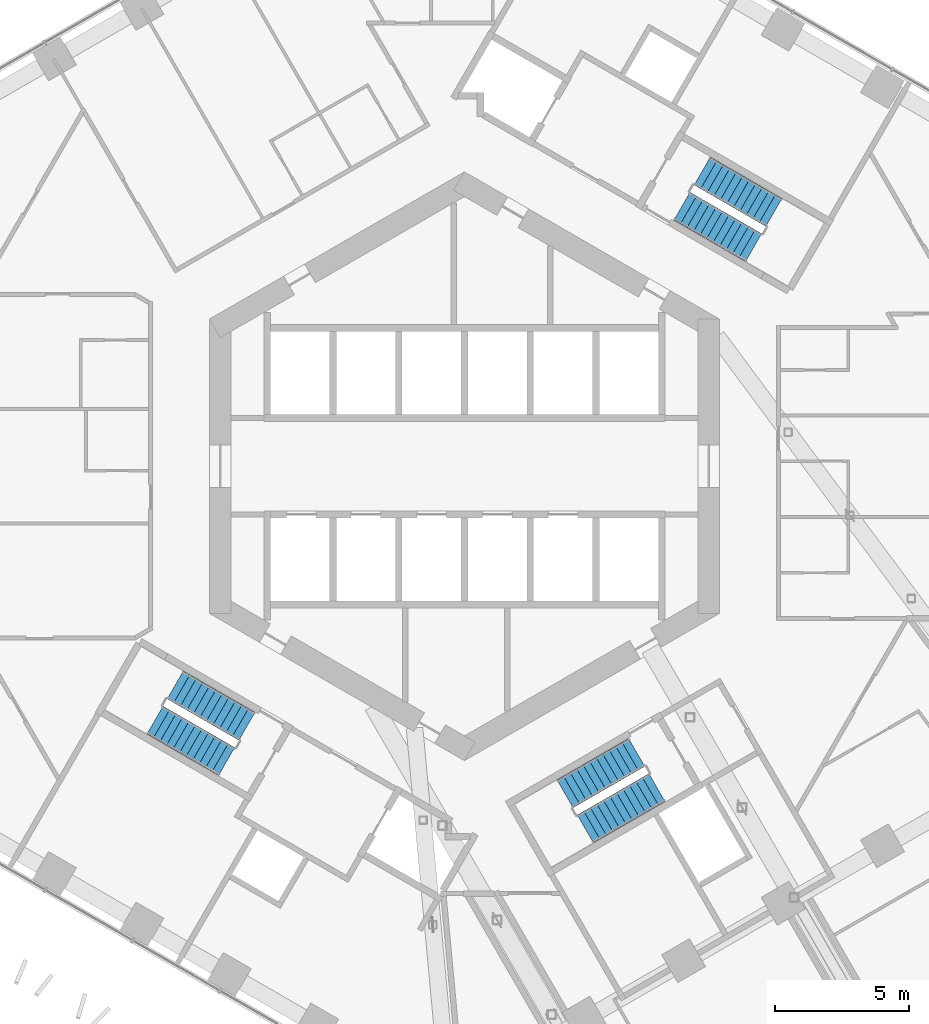
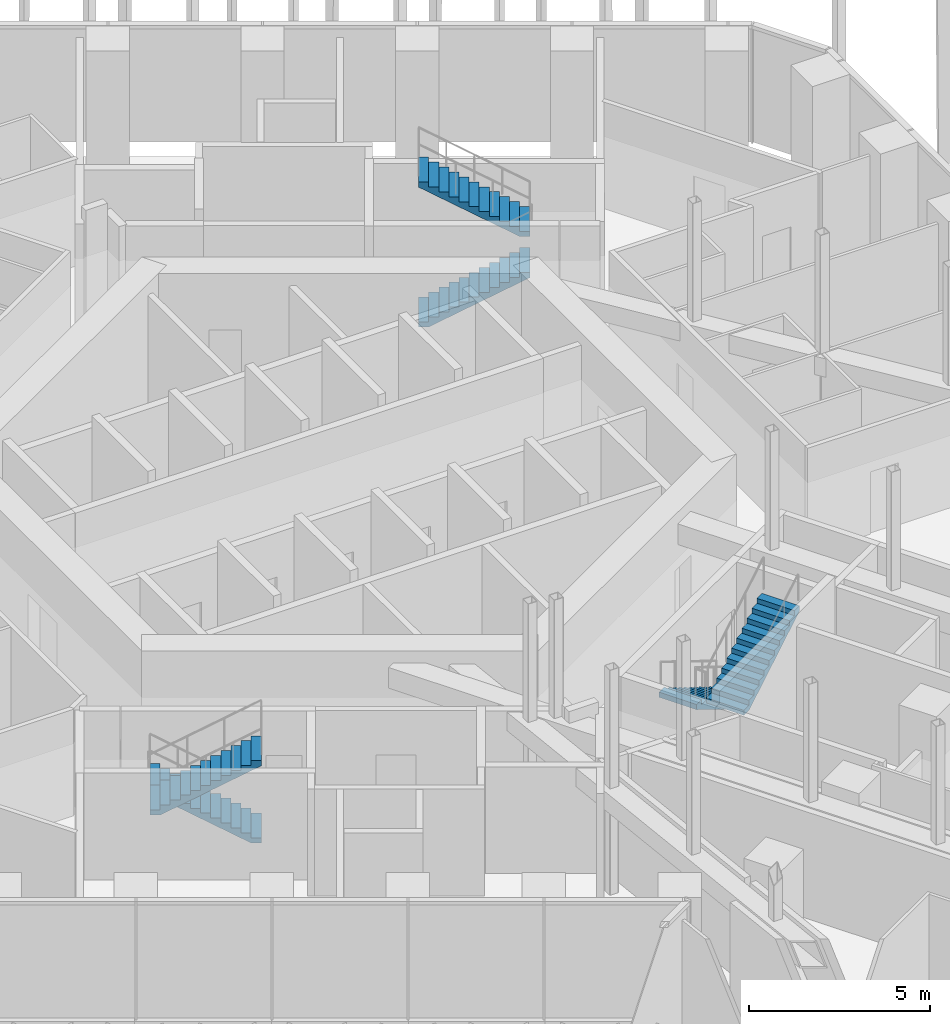
# One storey, part 25 of 29: 6 stair flights, 3 elements without a shape of their own.
"""IFC4 building model written with IfcOpenShell, lengths in metres."""

from ifc_helpers import new_model, si_unit, direction, frame, origin, place, context, subcontext, project, spatial, triangles, material, type_object, element, aggregate, save


model = new_model("IFC4")

# Units and contexts
model_context = context("Model", 3, precision=1e-05, world=origin(), true_north=direction((0.0, 1.0)))
body_context = subcontext(model_context, "Body", "Model", "MODEL_VIEW")
ifc_project = project(units=[si_unit("LENGTHUNIT", "METRE"), si_unit("AREAUNIT", "SQUARE_METRE"), si_unit("VOLUMEUNIT", "CUBIC_METRE"), si_unit("PLANEANGLEUNIT", "RADIAN"), si_unit("MASSUNIT", "GRAM", prefix="KILO")], contexts=[model_context])

# Site, building, storey
site_placement = place(None, origin())
site = spatial("IfcSite", under=ifc_project, at=site_placement, CompositionType="ELEMENT")
building_placement = place(site_placement, origin())
building = spatial("IfcBuilding", under=site, at=building_placement, Name="Ayvan Gate Tower", CompositionType="ELEMENT")
storey_placement = place(building_placement, frame((0.0, 0.0, 66.300048828125)))
storey = spatial("IfcBuildingStorey", under=building, at=storey_placement, Name="L17", CompositionType="ELEMENT", Elevation=66.300048828125)

# Stair, stair flights
ifc_material = material(Name="Concrete C40/50", Category="concrete")
stair_type = type_object("IfcStairType", Name="ST-EXIT", PredefinedType="HALF_TURN_STAIR", material=ifc_material)
stair_1_placement = place(storey_placement, origin())
stair_1 = element("IfcStair", 1, at=stair_1_placement, inside=storey, type_object=stair_type, Name="L17 Exit Stair S1", PredefinedType="HALF_TURN_STAIR")
stair_flight_type = type_object("IfcStairFlightType", Name="SFL-EXIT", PredefinedType="STRAIGHT", material=ifc_material)
stair_flight_1_placement = place(storey_placement, frame((8.106201171875, 9.690185546875, 0.0), z_axis=(0.0, 0.0, 1.0), x_axis=(0.866025403784, -0.5, 0.0)))
stair_flight_1 = element("IfcStairFlight", 2, at=stair_flight_1_placement, type_object=stair_flight_type, Name="STS1 flight 1", NumberOfRisers=12, NumberOfTreads=11, PredefinedType="STRAIGHT", RiserHeight=0.166666667, TreadLength=0.28, context=body_context, shape_type="Tessellation", body=[
    triangles([(0.293073, -0.599976, 0.0), (3.0805, -0.599976, 1.659182), (3.0805, -0.599976, 1.833333), (2.8, -0.599976, 1.833333), (2.8, -0.599976, 1.666667), (2.52, -0.599976, 1.666667), (2.52, -0.599976, 1.5), (2.24, -0.599976, 1.5), (2.24, -0.599976, 1.333333), (1.96, -0.599976, 1.333333), (1.96, -0.599976, 1.166667), (1.68, -0.599976, 1.166667), (1.68, -0.599976, 1.0), (1.4, -0.599976, 1.0), (1.4, -0.599976, 0.833333), (1.12, -0.599976, 0.833333), (1.12, -0.599976, 0.666667), (0.84, -0.599976, 0.666667), (0.84, -0.599976, 0.5), (0.56, -0.599976, 0.5), (0.56, -0.599976, 0.333333), (0.28, -0.599976, 0.333333), (0.28, -0.599976, 0.166667), (-0.0005, -0.599976, 0.166667), (-0.0005, -0.599976, 0.0), (0.293073, 0.0, 0.0), (3.0805, 0.0, 1.659182), (3.0805, 0.0, 1.833333), (2.8, 0.0, 1.833333), (2.8, 0.0, 1.666667), (2.52, 0.0, 1.666667), (2.52, 0.0, 1.5), (2.24, 0.0, 1.5), (2.24, 0.0, 1.333333), (1.96, 0.0, 1.333333), (1.96, 0.0, 1.166667), (1.68, 0.0, 1.166667), (1.68, 0.0, 1.0), (1.4, 0.0, 1.0), (1.4, 0.0, 0.833333), (1.12, 0.0, 0.833333), (1.12, 0.0, 0.666667), (0.84, 0.0, 0.666667), (0.84, 0.0, 0.5), (0.56, 0.0, 0.5), (0.56, 0.0, 0.333333), (0.28, 0.0, 0.333333), (0.28, 0.0, 0.166667), (-0.0005, 0.0, 0.166667), (-0.0005, 0.0, 0.0), (0.293073, 0.599976, 0.0), (3.0805, 0.599976, 1.659182), (3.0805, 0.599976, 1.833333), (2.8, 0.599976, 1.833333), (2.8, 0.599976, 1.666667), (2.52, 0.599976, 1.666667), (2.52, 0.599976, 1.5), (2.24, 0.599976, 1.5), (2.24, 0.599976, 1.333333), (1.96, 0.599976, 1.333333), (1.96, 0.599976, 1.166667), (1.68, 0.599976, 1.166667), (1.68, 0.599976, 1.0), (1.4, 0.599976, 1.0), (1.4, 0.599976, 0.833333), (1.12, 0.599976, 0.833333), (1.12, 0.599976, 0.666667), (0.84, 0.599976, 0.666667), (0.84, 0.599976, 0.5), (0.56, 0.599976, 0.5), (0.56, 0.599976, 0.333333), (0.28, 0.599976, 0.333333), (0.28, 0.599976, 0.166667), (-0.0005, 0.599976, 0.166667), (-0.0005, 0.599976, 0.0)], [[25, 1, 2], [75, 52, 51], [2, 3, 4], [52, 54, 53], [2, 4, 5], [52, 55, 54], [2, 5, 6], [52, 56, 55], [2, 6, 7], [52, 57, 56], [7, 8, 9], [57, 59, 58], [2, 7, 9], [52, 59, 57], [9, 10, 11], [59, 61, 60], [2, 9, 11], [52, 61, 59], [11, 12, 13], [61, 63, 62], [2, 11, 13], [52, 63, 61], [13, 14, 15], [63, 65, 64], [2, 13, 15], [52, 65, 63], [15, 16, 17], [65, 67, 66], [2, 15, 17], [52, 67, 65], [17, 18, 19], [67, 69, 68], [2, 17, 19], [52, 69, 67], [19, 20, 21], [69, 71, 70], [2, 19, 21], [52, 71, 69], [21, 22, 23], [71, 73, 72], [2, 21, 23], [52, 73, 71], [25, 2, 23], [75, 73, 52], [23, 24, 25], [73, 75, 74], [1, 26, 27], [1, 27, 2], [51, 27, 26], [51, 52, 27], [2, 27, 28], [2, 28, 3], [52, 28, 27], [52, 53, 28], [3, 28, 29], [3, 29, 4], [53, 29, 28], [53, 54, 29], [4, 29, 30], [4, 30, 5], [54, 30, 29], [54, 55, 30], [5, 30, 31], [5, 31, 6], [55, 31, 30], [55, 56, 31], [6, 31, 32], [6, 32, 7], [56, 32, 31], [56, 57, 32], [7, 32, 33], [7, 33, 8], [57, 33, 32], [57, 58, 33], [8, 33, 34], [8, 34, 9], [58, 34, 33], [58, 59, 34], [9, 34, 35], [9, 35, 10], [59, 35, 34], [59, 60, 35], [10, 35, 36], [10, 36, 11], [60, 36, 35], [60, 61, 36], [11, 36, 37], [11, 37, 12], [61, 37, 36], [61, 62, 37], [12, 37, 38], [12, 38, 13], [62, 38, 37], [62, 63, 38], [13, 38, 39], [13, 39, 14], [63, 39, 38], [63, 64, 39], [14, 39, 40], [14, 40, 15], [64, 40, 39], [64, 65, 40], [15, 40, 41], [15, 41, 16], [65, 41, 40], [65, 66, 41], [16, 41, 42], [16, 42, 17], [66, 42, 41], [66, 67, 42], [17, 42, 43], [17, 43, 18], [67, 43, 42], [67, 68, 43], [18, 43, 44], [18, 44, 19], [68, 44, 43], [68, 69, 44], [19, 44, 45], [19, 45, 20], [69, 45, 44], [69, 70, 45], [20, 45, 46], [20, 46, 21], [70, 46, 45], [70, 71, 46], [21, 46, 47], [21, 47, 22], [71, 47, 46], [71, 72, 47], [22, 47, 48], [22, 48, 23], [72, 48, 47], [72, 73, 48], [23, 48, 49], [23, 49, 24], [73, 49, 48], [73, 74, 49], [24, 49, 50], [24, 50, 25], [74, 50, 49], [74, 75, 50], [25, 50, 26], [25, 26, 1], [75, 26, 50], [75, 51, 26]], closed=True),
])
stair_flight_2_placement = place(storey_placement, frame((11.528564453125, 9.457763671875, 2.0), z_axis=(0.0, 0.0, 1.0), x_axis=(-0.866025403784, 0.5, 0.0)))
stair_flight_2 = element("IfcStairFlight", 3, at=stair_flight_2_placement, type_object=stair_flight_type, Name="STS1 flight 2", NumberOfRisers=12, NumberOfTreads=11, PredefinedType="STRAIGHT", RiserHeight=0.166666667, TreadLength=0.28, context=body_context, shape_type="Tessellation", body=[
    triangles([(0.293073, -0.599976, 0.0), (3.0805, -0.599976, 1.659182), (3.0805, -0.599976, 1.833333), (2.8, -0.599976, 1.833333), (2.8, -0.599976, 1.666667), (2.52, -0.599976, 1.666667), (2.52, -0.599976, 1.5), (2.24, -0.599976, 1.5), (2.24, -0.599976, 1.333333), (1.96, -0.599976, 1.333333), (1.96, -0.599976, 1.166667), (1.68, -0.599976, 1.166667), (1.68, -0.599976, 1.0), (1.4, -0.599976, 1.0), (1.4, -0.599976, 0.833333), (1.12, -0.599976, 0.833333), (1.12, -0.599976, 0.666667), (0.84, -0.599976, 0.666667), (0.84, -0.599976, 0.5), (0.56, -0.599976, 0.5), (0.56, -0.599976, 0.333333), (0.28, -0.599976, 0.333333), (0.28, -0.599976, 0.166667), (-0.0005, -0.599976, 0.166667), (-0.0005, -0.599976, 0.0), (0.293073, 0.0, 0.0), (3.0805, 0.0, 1.659182), (3.0805, 0.0, 1.833333), (2.8, 0.0, 1.833333), (2.8, 0.0, 1.666667), (2.52, 0.0, 1.666667), (2.52, 0.0, 1.5), (2.24, 0.0, 1.5), (2.24, 0.0, 1.333333), (1.96, 0.0, 1.333333), (1.96, 0.0, 1.166667), (1.68, 0.0, 1.166667), (1.68, 0.0, 1.0), (1.4, 0.0, 1.0), (1.4, 0.0, 0.833333), (1.12, 0.0, 0.833333), (1.12, 0.0, 0.666667), (0.84, 0.0, 0.666667), (0.84, 0.0, 0.5), (0.56, 0.0, 0.5), (0.56, 0.0, 0.333333), (0.28, 0.0, 0.333333), (0.28, 0.0, 0.166667), (-0.0005, 0.0, 0.166667), (-0.0005, 0.0, 0.0), (0.293073, 0.599976, 0.0), (3.0805, 0.599976, 1.659182), (3.0805, 0.599976, 1.833333), (2.8, 0.599976, 1.833333), (2.8, 0.599976, 1.666667), (2.52, 0.599976, 1.666667), (2.52, 0.599976, 1.5), (2.24, 0.599976, 1.5), (2.24, 0.599976, 1.333333), (1.96, 0.599976, 1.333333), (1.96, 0.599976, 1.166667), (1.68, 0.599976, 1.166667), (1.68, 0.599976, 1.0), (1.4, 0.599976, 1.0), (1.4, 0.599976, 0.833333), (1.12, 0.599976, 0.833333), (1.12, 0.599976, 0.666667), (0.84, 0.599976, 0.666667), (0.84, 0.599976, 0.5), (0.56, 0.599976, 0.5), (0.56, 0.599976, 0.333333), (0.28, 0.599976, 0.333333), (0.28, 0.599976, 0.166667), (-0.0005, 0.599976, 0.166667), (-0.0005, 0.599976, 0.0)], [[25, 1, 2], [75, 52, 51], [2, 3, 4], [52, 54, 53], [2, 4, 5], [52, 55, 54], [2, 5, 6], [52, 56, 55], [2, 6, 7], [52, 57, 56], [7, 8, 9], [57, 59, 58], [2, 7, 9], [52, 59, 57], [9, 10, 11], [59, 61, 60], [2, 9, 11], [52, 61, 59], [11, 12, 13], [61, 63, 62], [2, 11, 13], [52, 63, 61], [13, 14, 15], [63, 65, 64], [2, 13, 15], [52, 65, 63], [15, 16, 17], [65, 67, 66], [2, 15, 17], [52, 67, 65], [17, 18, 19], [67, 69, 68], [2, 17, 19], [52, 69, 67], [19, 20, 21], [69, 71, 70], [2, 19, 21], [52, 71, 69], [21, 22, 23], [71, 73, 72], [2, 21, 23], [52, 73, 71], [25, 2, 23], [75, 73, 52], [23, 24, 25], [73, 75, 74], [1, 26, 27], [1, 27, 2], [51, 27, 26], [51, 52, 27], [2, 27, 28], [2, 28, 3], [52, 28, 27], [52, 53, 28], [3, 28, 29], [3, 29, 4], [53, 29, 28], [53, 54, 29], [4, 29, 30], [4, 30, 5], [54, 30, 29], [54, 55, 30], [5, 30, 31], [5, 31, 6], [55, 31, 30], [55, 56, 31], [6, 31, 32], [6, 32, 7], [56, 32, 31], [56, 57, 32], [7, 32, 33], [7, 33, 8], [57, 33, 32], [57, 58, 33], [8, 33, 34], [8, 34, 9], [58, 34, 33], [58, 59, 34], [9, 34, 35], [9, 35, 10], [59, 35, 34], [59, 60, 35], [10, 35, 36], [10, 36, 11], [60, 36, 35], [60, 61, 36], [11, 36, 37], [11, 37, 12], [61, 37, 36], [61, 62, 37], [12, 37, 38], [12, 38, 13], [62, 38, 37], [62, 63, 38], [13, 38, 39], [13, 39, 14], [63, 39, 38], [63, 64, 39], [14, 39, 40], [14, 40, 15], [64, 40, 39], [64, 65, 40], [15, 40, 41], [15, 41, 16], [65, 41, 40], [65, 66, 41], [16, 41, 42], [16, 42, 17], [66, 42, 41], [66, 67, 42], [17, 42, 43], [17, 43, 18], [67, 43, 42], [67, 68, 43], [18, 43, 44], [18, 44, 19], [68, 44, 43], [68, 69, 44], [19, 44, 45], [19, 45, 20], [69, 45, 44], [69, 70, 45], [20, 45, 46], [20, 46, 21], [70, 46, 45], [70, 71, 46], [21, 46, 47], [21, 47, 22], [71, 47, 46], [71, 72, 47], [22, 47, 48], [22, 48, 23], [72, 48, 47], [72, 73, 48], [23, 48, 49], [23, 49, 24], [73, 49, 48], [73, 74, 49], [24, 49, 50], [24, 50, 25], [74, 50, 49], [74, 75, 50], [25, 50, 26], [25, 26, 1], [75, 26, 50], [75, 51, 26]], closed=True),
])
aggregate(stair_1, [stair_flight_1, stair_flight_2])

stair_2_placement = place(storey_placement, origin())
stair_2 = element("IfcStair", 4, at=stair_2_placement, inside=storey, type_object=stair_type, Name="L17 Exit Stair S2", PredefinedType="HALF_TURN_STAIR")
stair_flight_3_placement = place(storey_placement, frame((-8.106201171875, -9.690185546875, 0.0), z_axis=(0.0, 0.0, 1.0), x_axis=(-0.866025403784, 0.5, 0.0)))
stair_flight_3 = element("IfcStairFlight", 5, at=stair_flight_3_placement, type_object=stair_flight_type, Name="STS2 flight 1", NumberOfRisers=12, NumberOfTreads=11, PredefinedType="STRAIGHT", RiserHeight=0.166666667, TreadLength=0.28, context=body_context, shape_type="Tessellation", body=[
    triangles([(0.293073, -0.599976, 0.0), (3.0805, -0.599976, 1.659182), (3.0805, -0.599976, 1.833333), (2.8, -0.599976, 1.833333), (2.8, -0.599976, 1.666667), (2.52, -0.599976, 1.666667), (2.52, -0.599976, 1.5), (2.24, -0.599976, 1.5), (2.24, -0.599976, 1.333333), (1.96, -0.599976, 1.333333), (1.96, -0.599976, 1.166667), (1.68, -0.599976, 1.166667), (1.68, -0.599976, 1.0), (1.4, -0.599976, 1.0), (1.4, -0.599976, 0.833333), (1.12, -0.599976, 0.833333), (1.12, -0.599976, 0.666667), (0.84, -0.599976, 0.666667), (0.84, -0.599976, 0.5), (0.56, -0.599976, 0.5), (0.56, -0.599976, 0.333333), (0.28, -0.599976, 0.333333), (0.28, -0.599976, 0.166667), (-0.0005, -0.599976, 0.166667), (-0.0005, -0.599976, 0.0), (0.293073, 0.0, 0.0), (3.0805, 0.0, 1.659182), (3.0805, 0.0, 1.833333), (2.8, 0.0, 1.833333), (2.8, 0.0, 1.666667), (2.52, 0.0, 1.666667), (2.52, 0.0, 1.5), (2.24, 0.0, 1.5), (2.24, 0.0, 1.333333), (1.96, 0.0, 1.333333), (1.96, 0.0, 1.166667), (1.68, 0.0, 1.166667), (1.68, 0.0, 1.0), (1.4, 0.0, 1.0), (1.4, 0.0, 0.833333), (1.12, 0.0, 0.833333), (1.12, 0.0, 0.666667), (0.84, 0.0, 0.666667), (0.84, 0.0, 0.5), (0.56, 0.0, 0.5), (0.56, 0.0, 0.333333), (0.28, 0.0, 0.333333), (0.28, 0.0, 0.166667), (-0.0005, 0.0, 0.166667), (-0.0005, 0.0, 0.0), (0.293073, 0.599976, 0.0), (3.0805, 0.599976, 1.659182), (3.0805, 0.599976, 1.833333), (2.8, 0.599976, 1.833333), (2.8, 0.599976, 1.666667), (2.52, 0.599976, 1.666667), (2.52, 0.599976, 1.5), (2.24, 0.599976, 1.5), (2.24, 0.599976, 1.333333), (1.96, 0.599976, 1.333333), (1.96, 0.599976, 1.166667), (1.68, 0.599976, 1.166667), (1.68, 0.599976, 1.0), (1.4, 0.599976, 1.0), (1.4, 0.599976, 0.833333), (1.12, 0.599976, 0.833333), (1.12, 0.599976, 0.666667), (0.84, 0.599976, 0.666667), (0.84, 0.599976, 0.5), (0.56, 0.599976, 0.5), (0.56, 0.599976, 0.333333), (0.28, 0.599976, 0.333333), (0.28, 0.599976, 0.166667), (-0.0005, 0.599976, 0.166667), (-0.0005, 0.599976, 0.0)], [[25, 1, 2], [75, 52, 51], [2, 3, 4], [52, 54, 53], [2, 4, 5], [52, 55, 54], [2, 5, 6], [52, 56, 55], [2, 6, 7], [52, 57, 56], [7, 8, 9], [57, 59, 58], [2, 7, 9], [52, 59, 57], [9, 10, 11], [59, 61, 60], [2, 9, 11], [52, 61, 59], [11, 12, 13], [61, 63, 62], [2, 11, 13], [52, 63, 61], [13, 14, 15], [63, 65, 64], [2, 13, 15], [52, 65, 63], [15, 16, 17], [65, 67, 66], [2, 15, 17], [52, 67, 65], [17, 18, 19], [67, 69, 68], [2, 17, 19], [52, 69, 67], [19, 20, 21], [69, 71, 70], [2, 19, 21], [52, 71, 69], [21, 22, 23], [71, 73, 72], [2, 21, 23], [52, 73, 71], [25, 2, 23], [75, 73, 52], [23, 24, 25], [73, 75, 74], [1, 26, 27], [1, 27, 2], [51, 27, 26], [51, 52, 27], [2, 27, 28], [2, 28, 3], [52, 28, 27], [52, 53, 28], [3, 28, 29], [3, 29, 4], [53, 29, 28], [53, 54, 29], [4, 29, 30], [4, 30, 5], [54, 30, 29], [54, 55, 30], [5, 30, 31], [5, 31, 6], [55, 31, 30], [55, 56, 31], [6, 31, 32], [6, 32, 7], [56, 32, 31], [56, 57, 32], [7, 32, 33], [7, 33, 8], [57, 33, 32], [57, 58, 33], [8, 33, 34], [8, 34, 9], [58, 34, 33], [58, 59, 34], [9, 34, 35], [9, 35, 10], [59, 35, 34], [59, 60, 35], [10, 35, 36], [10, 36, 11], [60, 36, 35], [60, 61, 36], [11, 36, 37], [11, 37, 12], [61, 37, 36], [61, 62, 37], [12, 37, 38], [12, 38, 13], [62, 38, 37], [62, 63, 38], [13, 38, 39], [13, 39, 14], [63, 39, 38], [63, 64, 39], [14, 39, 40], [14, 40, 15], [64, 40, 39], [64, 65, 40], [15, 40, 41], [15, 41, 16], [65, 41, 40], [65, 66, 41], [16, 41, 42], [16, 42, 17], [66, 42, 41], [66, 67, 42], [17, 42, 43], [17, 43, 18], [67, 43, 42], [67, 68, 43], [18, 43, 44], [18, 44, 19], [68, 44, 43], [68, 69, 44], [19, 44, 45], [19, 45, 20], [69, 45, 44], [69, 70, 45], [20, 45, 46], [20, 46, 21], [70, 46, 45], [70, 71, 46], [21, 46, 47], [21, 47, 22], [71, 47, 46], [71, 72, 47], [22, 47, 48], [22, 48, 23], [72, 48, 47], [72, 73, 48], [23, 48, 49], [23, 49, 24], [73, 49, 48], [73, 74, 49], [24, 49, 50], [24, 50, 25], [74, 50, 49], [74, 75, 50], [25, 50, 26], [25, 26, 1], [75, 26, 50], [75, 51, 26]], closed=True),
])
stair_flight_4_placement = place(storey_placement, frame((-11.528564453125, -9.457763671875, 2.0), z_axis=(0.0, 0.0, 1.0), x_axis=(0.866025403784, -0.5, 0.0)))
stair_flight_4 = element("IfcStairFlight", 6, at=stair_flight_4_placement, type_object=stair_flight_type, Name="STS2 flight 2", NumberOfRisers=12, NumberOfTreads=11, PredefinedType="STRAIGHT", RiserHeight=0.166666667, TreadLength=0.28, context=body_context, shape_type="Tessellation", body=[
    triangles([(0.293073, -0.599976, 0.0), (3.0805, -0.599976, 1.659182), (3.0805, -0.599976, 1.833333), (2.8, -0.599976, 1.833333), (2.8, -0.599976, 1.666667), (2.52, -0.599976, 1.666667), (2.52, -0.599976, 1.5), (2.24, -0.599976, 1.5), (2.24, -0.599976, 1.333333), (1.96, -0.599976, 1.333333), (1.96, -0.599976, 1.166667), (1.68, -0.599976, 1.166667), (1.68, -0.599976, 1.0), (1.4, -0.599976, 1.0), (1.4, -0.599976, 0.833333), (1.12, -0.599976, 0.833333), (1.12, -0.599976, 0.666667), (0.84, -0.599976, 0.666667), (0.84, -0.599976, 0.5), (0.56, -0.599976, 0.5), (0.56, -0.599976, 0.333333), (0.28, -0.599976, 0.333333), (0.28, -0.599976, 0.166667), (-0.0005, -0.599976, 0.166667), (-0.0005, -0.599976, 0.0), (0.293073, 0.0, 0.0), (3.0805, 0.0, 1.659182), (3.0805, 0.0, 1.833333), (2.8, 0.0, 1.833333), (2.8, 0.0, 1.666667), (2.52, 0.0, 1.666667), (2.52, 0.0, 1.5), (2.24, 0.0, 1.5), (2.24, 0.0, 1.333333), (1.96, 0.0, 1.333333), (1.96, 0.0, 1.166667), (1.68, 0.0, 1.166667), (1.68, 0.0, 1.0), (1.4, 0.0, 1.0), (1.4, 0.0, 0.833333), (1.12, 0.0, 0.833333), (1.12, 0.0, 0.666667), (0.84, 0.0, 0.666667), (0.84, 0.0, 0.5), (0.56, 0.0, 0.5), (0.56, 0.0, 0.333333), (0.28, 0.0, 0.333333), (0.28, 0.0, 0.166667), (-0.0005, 0.0, 0.166667), (-0.0005, 0.0, 0.0), (0.293073, 0.599976, 0.0), (3.0805, 0.599976, 1.659182), (3.0805, 0.599976, 1.833333), (2.8, 0.599976, 1.833333), (2.8, 0.599976, 1.666667), (2.52, 0.599976, 1.666667), (2.52, 0.599976, 1.5), (2.24, 0.599976, 1.5), (2.24, 0.599976, 1.333333), (1.96, 0.599976, 1.333333), (1.96, 0.599976, 1.166667), (1.68, 0.599976, 1.166667), (1.68, 0.599976, 1.0), (1.4, 0.599976, 1.0), (1.4, 0.599976, 0.833333), (1.12, 0.599976, 0.833333), (1.12, 0.599976, 0.666667), (0.84, 0.599976, 0.666667), (0.84, 0.599976, 0.5), (0.56, 0.599976, 0.5), (0.56, 0.599976, 0.333333), (0.28, 0.599976, 0.333333), (0.28, 0.599976, 0.166667), (-0.0005, 0.599976, 0.166667), (-0.0005, 0.599976, 0.0)], [[25, 1, 2], [75, 52, 51], [2, 3, 4], [52, 54, 53], [2, 4, 5], [52, 55, 54], [2, 5, 6], [52, 56, 55], [2, 6, 7], [52, 57, 56], [7, 8, 9], [57, 59, 58], [2, 7, 9], [52, 59, 57], [9, 10, 11], [59, 61, 60], [2, 9, 11], [52, 61, 59], [11, 12, 13], [61, 63, 62], [2, 11, 13], [52, 63, 61], [13, 14, 15], [63, 65, 64], [2, 13, 15], [52, 65, 63], [15, 16, 17], [65, 67, 66], [2, 15, 17], [52, 67, 65], [17, 18, 19], [67, 69, 68], [2, 17, 19], [52, 69, 67], [19, 20, 21], [69, 71, 70], [2, 19, 21], [52, 71, 69], [21, 22, 23], [71, 73, 72], [2, 21, 23], [52, 73, 71], [25, 2, 23], [75, 73, 52], [23, 24, 25], [73, 75, 74], [1, 26, 27], [1, 27, 2], [51, 27, 26], [51, 52, 27], [2, 27, 28], [2, 28, 3], [52, 28, 27], [52, 53, 28], [3, 28, 29], [3, 29, 4], [53, 29, 28], [53, 54, 29], [4, 29, 30], [4, 30, 5], [54, 30, 29], [54, 55, 30], [5, 30, 31], [5, 31, 6], [55, 31, 30], [55, 56, 31], [6, 31, 32], [6, 32, 7], [56, 32, 31], [56, 57, 32], [7, 32, 33], [7, 33, 8], [57, 33, 32], [57, 58, 33], [8, 33, 34], [8, 34, 9], [58, 34, 33], [58, 59, 34], [9, 34, 35], [9, 35, 10], [59, 35, 34], [59, 60, 35], [10, 35, 36], [10, 36, 11], [60, 36, 35], [60, 61, 36], [11, 36, 37], [11, 37, 12], [61, 37, 36], [61, 62, 37], [12, 37, 38], [12, 38, 13], [62, 38, 37], [62, 63, 38], [13, 38, 39], [13, 39, 14], [63, 39, 38], [63, 64, 39], [14, 39, 40], [14, 40, 15], [64, 40, 39], [64, 65, 40], [15, 40, 41], [15, 41, 16], [65, 41, 40], [65, 66, 41], [16, 41, 42], [16, 42, 17], [66, 42, 41], [66, 67, 42], [17, 42, 43], [17, 43, 18], [67, 43, 42], [67, 68, 43], [18, 43, 44], [18, 44, 19], [68, 44, 43], [68, 69, 44], [19, 44, 45], [19, 45, 20], [69, 45, 44], [69, 70, 45], [20, 45, 46], [20, 46, 21], [70, 46, 45], [70, 71, 46], [21, 46, 47], [21, 47, 22], [71, 47, 46], [71, 72, 47], [22, 47, 48], [22, 48, 23], [72, 48, 47], [72, 73, 48], [23, 48, 49], [23, 49, 24], [73, 49, 48], [73, 74, 49], [24, 49, 50], [24, 50, 25], [74, 50, 49], [74, 75, 50], [25, 50, 26], [25, 26, 1], [75, 26, 50], [75, 51, 26]], closed=True),
])
aggregate(stair_2, [stair_flight_3, stair_flight_4])

stair_3_placement = place(storey_placement, origin())
stair_3 = element("IfcStair", 7, at=stair_3_placement, inside=storey, type_object=stair_type, Name="L17 Exit Stair S3", PredefinedType="HALF_TURN_STAIR")
stair_flight_5_placement = place(storey_placement, frame((6.417236328125, -10.665283203125, 0.0), z_axis=(0.0, 0.0, 1.0), x_axis=(-0.866025403784, -0.5, 0.0)))
stair_flight_5 = element("IfcStairFlight", 8, at=stair_flight_5_placement, type_object=stair_flight_type, Name="STS3 flight 1", NumberOfRisers=12, NumberOfTreads=11, PredefinedType="STRAIGHT", RiserHeight=0.166666667, TreadLength=0.28, context=body_context, shape_type="Tessellation", body=[
    triangles([(0.293073, -0.599976, 0.0), (3.0805, -0.599976, 1.659182), (3.0805, -0.599976, 1.833333), (2.8, -0.599976, 1.833333), (2.8, -0.599976, 1.666667), (2.52, -0.599976, 1.666667), (2.52, -0.599976, 1.5), (2.24, -0.599976, 1.5), (2.24, -0.599976, 1.333333), (1.96, -0.599976, 1.333333), (1.96, -0.599976, 1.166667), (1.68, -0.599976, 1.166667), (1.68, -0.599976, 1.0), (1.4, -0.599976, 1.0), (1.4, -0.599976, 0.833333), (1.12, -0.599976, 0.833333), (1.12, -0.599976, 0.666667), (0.84, -0.599976, 0.666667), (0.84, -0.599976, 0.5), (0.56, -0.599976, 0.5), (0.56, -0.599976, 0.333333), (0.28, -0.599976, 0.333333), (0.28, -0.599976, 0.166667), (-0.0005, -0.599976, 0.166667), (-0.0005, -0.599976, 0.0), (0.293073, 0.0, 0.0), (3.0805, 0.0, 1.659182), (3.0805, 0.0, 1.833333), (2.8, 0.0, 1.833333), (2.8, 0.0, 1.666667), (2.52, 0.0, 1.666667), (2.52, 0.0, 1.5), (2.24, 0.0, 1.5), (2.24, 0.0, 1.333333), (1.96, 0.0, 1.333333), (1.96, 0.0, 1.166667), (1.68, 0.0, 1.166667), (1.68, 0.0, 1.0), (1.4, 0.0, 1.0), (1.4, 0.0, 0.833333), (1.12, 0.0, 0.833333), (1.12, 0.0, 0.666667), (0.84, 0.0, 0.666667), (0.84, 0.0, 0.5), (0.56, 0.0, 0.5), (0.56, 0.0, 0.333333), (0.28, 0.0, 0.333333), (0.28, 0.0, 0.166667), (-0.0005, 0.0, 0.166667), (-0.0005, 0.0, 0.0), (0.293073, 0.599976, 0.0), (3.0805, 0.599976, 1.659182), (3.0805, 0.599976, 1.833333), (2.8, 0.599976, 1.833333), (2.8, 0.599976, 1.666667), (2.52, 0.599976, 1.666667), (2.52, 0.599976, 1.5), (2.24, 0.599976, 1.5), (2.24, 0.599976, 1.333333), (1.96, 0.599976, 1.333333), (1.96, 0.599976, 1.166667), (1.68, 0.599976, 1.166667), (1.68, 0.599976, 1.0), (1.4, 0.599976, 1.0), (1.4, 0.599976, 0.833333), (1.12, 0.599976, 0.833333), (1.12, 0.599976, 0.666667), (0.84, 0.599976, 0.666667), (0.84, 0.599976, 0.5), (0.56, 0.599976, 0.5), (0.56, 0.599976, 0.333333), (0.28, 0.599976, 0.333333), (0.28, 0.599976, 0.166667), (-0.0005, 0.599976, 0.166667), (-0.0005, 0.599976, 0.0)], [[25, 1, 2], [75, 52, 51], [2, 3, 4], [52, 54, 53], [2, 4, 5], [52, 55, 54], [2, 5, 6], [52, 56, 55], [2, 6, 7], [52, 57, 56], [7, 8, 9], [57, 59, 58], [2, 7, 9], [52, 59, 57], [9, 10, 11], [59, 61, 60], [2, 9, 11], [52, 61, 59], [11, 12, 13], [61, 63, 62], [2, 11, 13], [52, 63, 61], [13, 14, 15], [63, 65, 64], [2, 13, 15], [52, 65, 63], [15, 16, 17], [65, 67, 66], [2, 15, 17], [52, 67, 65], [17, 18, 19], [67, 69, 68], [2, 17, 19], [52, 69, 67], [19, 20, 21], [69, 71, 70], [2, 19, 21], [52, 71, 69], [21, 22, 23], [71, 73, 72], [2, 21, 23], [52, 73, 71], [25, 2, 23], [75, 73, 52], [23, 24, 25], [73, 75, 74], [1, 26, 27], [1, 27, 2], [51, 27, 26], [51, 52, 27], [2, 27, 28], [2, 28, 3], [52, 28, 27], [52, 53, 28], [3, 28, 29], [3, 29, 4], [53, 29, 28], [53, 54, 29], [4, 29, 30], [4, 30, 5], [54, 30, 29], [54, 55, 30], [5, 30, 31], [5, 31, 6], [55, 31, 30], [55, 56, 31], [6, 31, 32], [6, 32, 7], [56, 32, 31], [56, 57, 32], [7, 32, 33], [7, 33, 8], [57, 33, 32], [57, 58, 33], [8, 33, 34], [8, 34, 9], [58, 34, 33], [58, 59, 34], [9, 34, 35], [9, 35, 10], [59, 35, 34], [59, 60, 35], [10, 35, 36], [10, 36, 11], [60, 36, 35], [60, 61, 36], [11, 36, 37], [11, 37, 12], [61, 37, 36], [61, 62, 37], [12, 37, 38], [12, 38, 13], [62, 38, 37], [62, 63, 38], [13, 38, 39], [13, 39, 14], [63, 39, 38], [63, 64, 39], [14, 39, 40], [14, 40, 15], [64, 40, 39], [64, 65, 40], [15, 40, 41], [15, 41, 16], [65, 41, 40], [65, 66, 41], [16, 41, 42], [16, 42, 17], [66, 42, 41], [66, 67, 42], [17, 42, 43], [17, 43, 18], [67, 43, 42], [67, 68, 43], [18, 43, 44], [18, 44, 19], [68, 44, 43], [68, 69, 44], [19, 44, 45], [19, 45, 20], [69, 45, 44], [69, 70, 45], [20, 45, 46], [20, 46, 21], [70, 46, 45], [70, 71, 46], [21, 46, 47], [21, 47, 22], [71, 47, 46], [71, 72, 47], [22, 47, 48], [22, 48, 23], [72, 48, 47], [72, 73, 48], [23, 48, 49], [23, 49, 24], [73, 49, 48], [73, 74, 49], [24, 49, 50], [24, 50, 25], [74, 50, 49], [74, 75, 50], [25, 50, 26], [25, 26, 1], [75, 26, 50], [75, 51, 26]], closed=True),
])
stair_flight_6_placement = place(storey_placement, frame((4.5048828125, -13.512939453125, 2.0), z_axis=(0.0, 0.0, 1.0), x_axis=(0.866025403784, 0.5, 0.0)))
stair_flight_6 = element("IfcStairFlight", 9, at=stair_flight_6_placement, type_object=stair_flight_type, Name="STS3 flight 2", NumberOfRisers=12, NumberOfTreads=11, PredefinedType="STRAIGHT", RiserHeight=0.166666667, TreadLength=0.28, context=body_context, shape_type="Tessellation", body=[
    triangles([(0.293073, -0.599976, 0.0), (3.0805, -0.599976, 1.659182), (3.0805, -0.599976, 1.833333), (2.8, -0.599976, 1.833333), (2.8, -0.599976, 1.666667), (2.52, -0.599976, 1.666667), (2.52, -0.599976, 1.5), (2.24, -0.599976, 1.5), (2.24, -0.599976, 1.333333), (1.96, -0.599976, 1.333333), (1.96, -0.599976, 1.166667), (1.68, -0.599976, 1.166667), (1.68, -0.599976, 1.0), (1.4, -0.599976, 1.0), (1.4, -0.599976, 0.833333), (1.12, -0.599976, 0.833333), (1.12, -0.599976, 0.666667), (0.84, -0.599976, 0.666667), (0.84, -0.599976, 0.5), (0.56, -0.599976, 0.5), (0.56, -0.599976, 0.333333), (0.28, -0.599976, 0.333333), (0.28, -0.599976, 0.166667), (-0.0005, -0.599976, 0.166667), (-0.0005, -0.599976, 0.0), (0.293073, 0.0, 0.0), (3.0805, 0.0, 1.659182), (3.0805, 0.0, 1.833333), (2.8, 0.0, 1.833333), (2.8, 0.0, 1.666667), (2.52, 0.0, 1.666667), (2.52, 0.0, 1.5), (2.24, 0.0, 1.5), (2.24, 0.0, 1.333333), (1.96, 0.0, 1.333333), (1.96, 0.0, 1.166667), (1.68, 0.0, 1.166667), (1.68, 0.0, 1.0), (1.4, 0.0, 1.0), (1.4, 0.0, 0.833333), (1.12, 0.0, 0.833333), (1.12, 0.0, 0.666667), (0.84, 0.0, 0.666667), (0.84, 0.0, 0.5), (0.56, 0.0, 0.5), (0.56, 0.0, 0.333333), (0.28, 0.0, 0.333333), (0.28, 0.0, 0.166667), (-0.0005, 0.0, 0.166667), (-0.0005, 0.0, 0.0), (0.293073, 0.599976, 0.0), (3.0805, 0.599976, 1.659182), (3.0805, 0.599976, 1.833333), (2.8, 0.599976, 1.833333), (2.8, 0.599976, 1.666667), (2.52, 0.599976, 1.666667), (2.52, 0.599976, 1.5), (2.24, 0.599976, 1.5), (2.24, 0.599976, 1.333333), (1.96, 0.599976, 1.333333), (1.96, 0.599976, 1.166667), (1.68, 0.599976, 1.166667), (1.68, 0.599976, 1.0), (1.4, 0.599976, 1.0), (1.4, 0.599976, 0.833333), (1.12, 0.599976, 0.833333), (1.12, 0.599976, 0.666667), (0.84, 0.599976, 0.666667), (0.84, 0.599976, 0.5), (0.56, 0.599976, 0.5), (0.56, 0.599976, 0.333333), (0.28, 0.599976, 0.333333), (0.28, 0.599976, 0.166667), (-0.0005, 0.599976, 0.166667), (-0.0005, 0.599976, 0.0)], [[25, 1, 2], [75, 52, 51], [2, 3, 4], [52, 54, 53], [2, 4, 5], [52, 55, 54], [2, 5, 6], [52, 56, 55], [2, 6, 7], [52, 57, 56], [7, 8, 9], [57, 59, 58], [2, 7, 9], [52, 59, 57], [9, 10, 11], [59, 61, 60], [2, 9, 11], [52, 61, 59], [11, 12, 13], [61, 63, 62], [2, 11, 13], [52, 63, 61], [13, 14, 15], [63, 65, 64], [2, 13, 15], [52, 65, 63], [15, 16, 17], [65, 67, 66], [2, 15, 17], [52, 67, 65], [17, 18, 19], [67, 69, 68], [2, 17, 19], [52, 69, 67], [19, 20, 21], [69, 71, 70], [2, 19, 21], [52, 71, 69], [21, 22, 23], [71, 73, 72], [2, 21, 23], [52, 73, 71], [25, 2, 23], [75, 73, 52], [23, 24, 25], [73, 75, 74], [1, 26, 27], [1, 27, 2], [51, 27, 26], [51, 52, 27], [2, 27, 28], [2, 28, 3], [52, 28, 27], [52, 53, 28], [3, 28, 29], [3, 29, 4], [53, 29, 28], [53, 54, 29], [4, 29, 30], [4, 30, 5], [54, 30, 29], [54, 55, 30], [5, 30, 31], [5, 31, 6], [55, 31, 30], [55, 56, 31], [6, 31, 32], [6, 32, 7], [56, 32, 31], [56, 57, 32], [7, 32, 33], [7, 33, 8], [57, 33, 32], [57, 58, 33], [8, 33, 34], [8, 34, 9], [58, 34, 33], [58, 59, 34], [9, 34, 35], [9, 35, 10], [59, 35, 34], [59, 60, 35], [10, 35, 36], [10, 36, 11], [60, 36, 35], [60, 61, 36], [11, 36, 37], [11, 37, 12], [61, 37, 36], [61, 62, 37], [12, 37, 38], [12, 38, 13], [62, 38, 37], [62, 63, 38], [13, 38, 39], [13, 39, 14], [63, 39, 38], [63, 64, 39], [14, 39, 40], [14, 40, 15], [64, 40, 39], [64, 65, 40], [15, 40, 41], [15, 41, 16], [65, 41, 40], [65, 66, 41], [16, 41, 42], [16, 42, 17], [66, 42, 41], [66, 67, 42], [17, 42, 43], [17, 43, 18], [67, 43, 42], [67, 68, 43], [18, 43, 44], [18, 44, 19], [68, 44, 43], [68, 69, 44], [19, 44, 45], [19, 45, 20], [69, 45, 44], [69, 70, 45], [20, 45, 46], [20, 46, 21], [70, 46, 45], [70, 71, 46], [21, 46, 47], [21, 47, 22], [71, 47, 46], [71, 72, 47], [22, 47, 48], [22, 48, 23], [72, 48, 47], [72, 73, 48], [23, 48, 49], [23, 49, 24], [73, 49, 48], [73, 74, 49], [24, 49, 50], [24, 50, 25], [74, 50, 49], [74, 75, 50], [25, 50, 26], [25, 26, 1], [75, 26, 50], [75, 51, 26]], closed=True),
])
aggregate(stair_3, [stair_flight_5, stair_flight_6])

save(model, "model.ifc")
